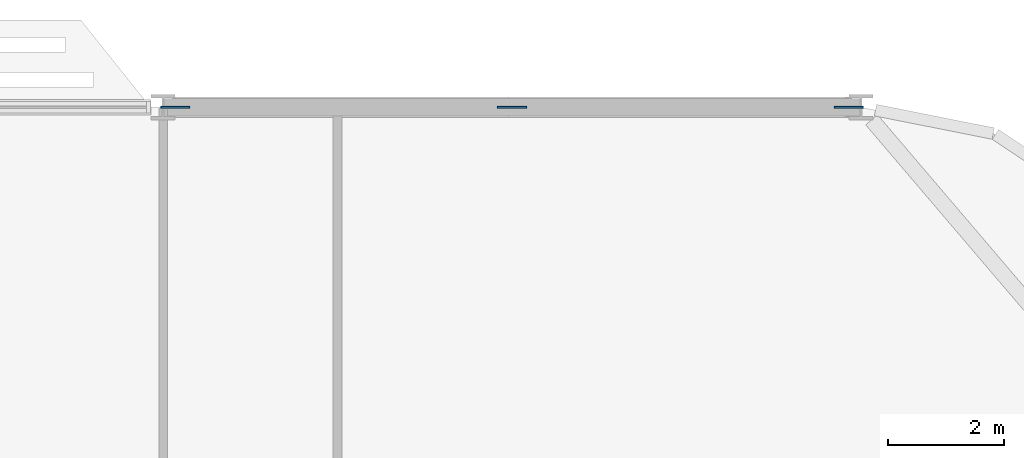
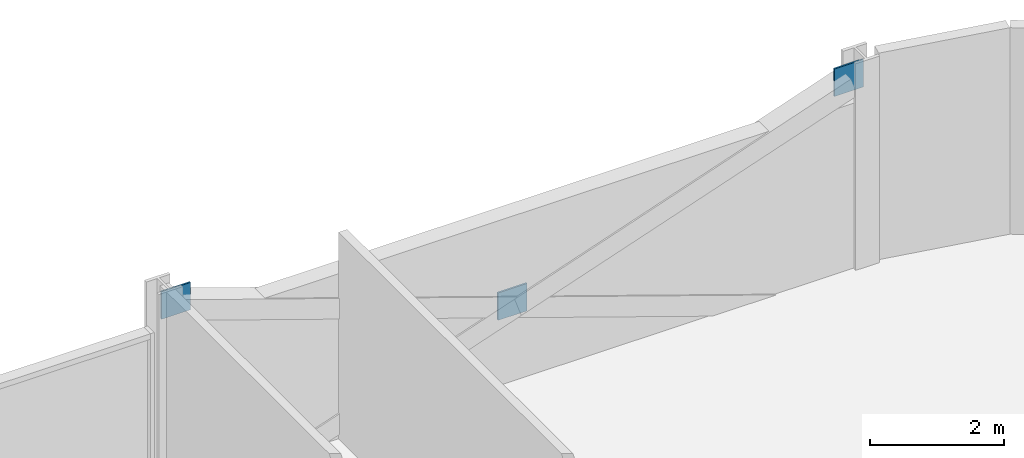
# One storey, part 24 of 29: 3 discrete accessories.
"""IFC4 building model written with IfcOpenShell, lengths in metres."""

from ifc_helpers import new_model, si_unit, direction, frame, origin, origin_2d, place, context, subcontext, project, spatial, rectangle, extrude, material, layer, layer_set, type_object, element, save


model = new_model("IFC4")

# Units and contexts
model_context = context("Model", 3, precision=1e-05, world=origin(), true_north=direction((0.0, 1.0)))
body_context = subcontext(model_context, "Body", "Model", "MODEL_VIEW")
ifc_project = project(units=[si_unit("LENGTHUNIT", "METRE"), si_unit("AREAUNIT", "SQUARE_METRE"), si_unit("VOLUMEUNIT", "CUBIC_METRE"), si_unit("PLANEANGLEUNIT", "RADIAN"), si_unit("MASSUNIT", "GRAM", prefix="KILO")], contexts=[model_context])

# Site, building, storey
site_placement = place(None, origin())
site = spatial("IfcSite", under=ifc_project, at=site_placement, CompositionType="ELEMENT")
building_placement = place(site_placement, origin())
building = spatial("IfcBuilding", under=site, at=building_placement, Name="Mahtab Terrace Research Tower", CompositionType="ELEMENT")
storey_placement = place(building_placement, frame((0.0, 0.0, 146.60009765625)))
storey = spatial("IfcBuildingStorey", under=building, at=storey_placement, Name="L34", CompositionType="ELEMENT", Elevation=146.60009765625)

# Discrete accessories
ifc_material = material(Name="Steel ASTM A992 Gr 50", Category="steel")
ifc_layer = layer(ifc_material, 0.030029296875)
ifc_layer_set = layer_set([ifc_layer], Name="Gusset plate 500x500x30")
discrete_accessory_type = type_object("IfcDiscreteAccessoryType", Name="Gusset plate 500x500x30", PredefinedType="USERDEFINED", material=ifc_layer_set)
for number, where, z_axis, x_axis, name in (
    (1, (30.205810546875, 29.0, 3.129638671875), (0.0, 0.0, 1.0), (1.0, 0.0, 0.0), "Gusset plate"),
    (2, (36.0, 29.0, 1.08154296875), (0.0, 0.0, 1.0), (1.0, 0.0, 0.0), "Gusset plate"),
    (3, (41.794189453125, 29.0, 3.129638671875), (0.0, 0.0, 1.0), (1.0, 0.0, 0.0), "Gusset plate"),
):
    element("IfcDiscreteAccessory", number, at=place(storey_placement, frame(where, z_axis=z_axis, x_axis=x_axis)), inside=storey, type_object=discrete_accessory_type, Name=name, ObjectType="GUSSET PLATE", PredefinedType="USERDEFINED", context=body_context, shape_type="SweptSolid", body=[
        extrude(rectangle(XDim=0.5, YDim=0.030029296875, at=origin_2d()), origin(), (0.0, 0.0, 1.0), 0.5),
    ])

save(model, "model.ifc")
